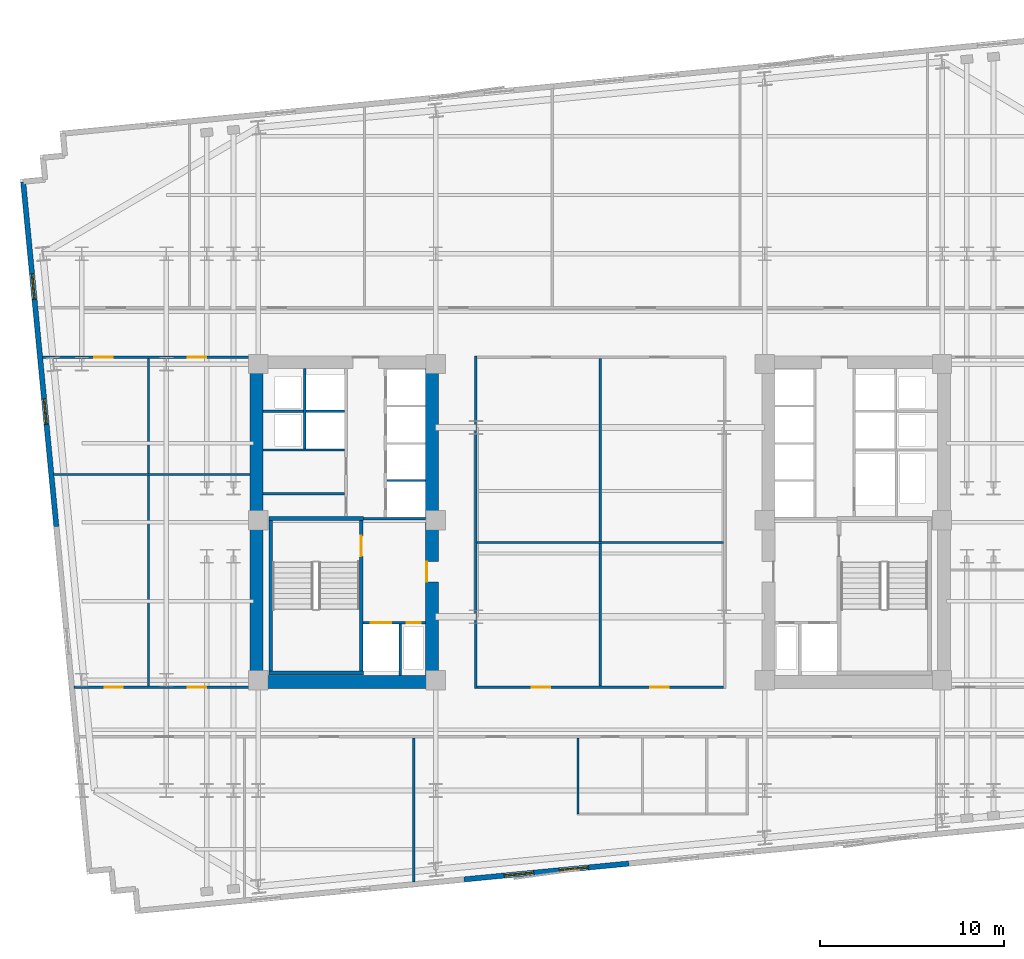
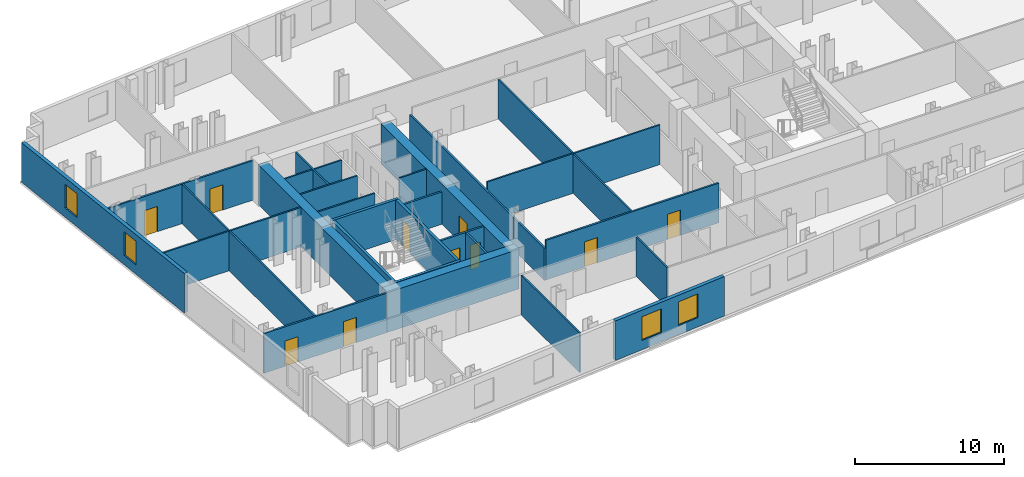
# One storey, part 4 of 11: 28 walls, 10 doors, 4 windows, 14 openings.
"""IFC4 building model written with IfcOpenShell, lengths in metres."""

from ifc_helpers import new_model, si_unit, direction, frame, frame_2d, origin, place, context, subcontext, project, spatial, rectangle, extrude, material, layer, layer_set, type_object, element, fill, save


model = new_model("IFC4")

# Units and contexts
model_context = context("Model", 3, precision=1e-05, world=origin(), true_north=direction((0.0, 1.0)))
body_context = subcontext(model_context, "Body", "Model", "MODEL_VIEW")
ifc_project = project(units=[si_unit("LENGTHUNIT", "METRE"), si_unit("AREAUNIT", "SQUARE_METRE"), si_unit("VOLUMEUNIT", "CUBIC_METRE"), si_unit("PLANEANGLEUNIT", "RADIAN"), si_unit("MASSUNIT", "GRAM", prefix="KILO")], contexts=[model_context])

# Site, building, storey
site_placement = place(None, origin())
site = spatial("IfcSite", under=ifc_project, at=site_placement, CompositionType="ELEMENT")
building_placement = place(site_placement, origin())
building = spatial("IfcBuilding", under=site, at=building_placement, Name="Velakula Bourse", CompositionType="ELEMENT")
storey_placement = place(building_placement, frame((0.0, 0.0, 105.25)))
storey = spatial("IfcBuildingStorey", under=building, at=storey_placement, Name="L28", CompositionType="ELEMENT", Elevation=105.25)

# Wall, opening, door
ifc_material_1 = material(Name="Concrete M50 (fck 50 MPa)", Category="concrete")
ifc_layer_1 = layer(ifc_material_1, 0.2099609375, Name="Concrete M50 (fck 50 MPa)", Category="concrete")
ifc_layer_set_1 = layer_set([ifc_layer_1], Name="Concrete M50 (fck 50 MPa)")
wall_type_1 = type_object("IfcWallType", Name="WL-CORE-210", PredefinedType="SHEAR", material=ifc_layer_set_1)
wall_1_placement = place(storey_placement, frame((-12.9951171875, -8.10009765625, 0.0), z_axis=(0.0, 0.0, 1.0), x_axis=(0.0, 1.0, 0.0)))
wall_1 = element("IfcWall", 1, at=wall_1_placement, inside=storey, type_object=wall_type_1, Name="L28 Core W Stairwell Shear Wall IN", PredefinedType="SHEAR", context=body_context, shape_type="SweptSolid", body=[
    extrude(rectangle(XDim=8.2001953125, YDim=0.2099609375, at=frame_2d((4.10009765625, 0.0))), origin(), (0.0, 0.0, 1.0), 3.27001953125),
])
opening_1_placement = place(wall_1_placement, frame((6.25, 0.0, 0.0)))
opening_1 = element("IfcOpeningElement", 2, at=opening_1_placement, cuts=wall_1, Name="Opening D-STW1", PredefinedType="OPENING", context=body_context, shape_type="SweptSolid", body=[
    extrude(rectangle(XDim=1.10009765625, YDim=2.14990234375, at=frame_2d((0.550048828125, 1.074951171875))), frame((0.0, 0.114990234375, 0.0), z_axis=(0.0, -1.0, 0.0), x_axis=(1.0, 0.0, 0.0)), (0.0, 0.0, 1.0), 0.22998046875),
])
ifc_material_2 = material(Name="Galvanised painted hollow steel fire door", Category="steel")
door_type_1 = type_object("IfcDoorType", Name="DR-FD120-1100x2150", OperationType="NOTDEFINED", PredefinedType="DOOR", material=ifc_material_2)
door_1_placement = place(opening_1_placement, origin())
door_1 = element("IfcDoor", 3, at=door_1_placement, inside=storey, type_object=door_type_1, Name="L28 Stair ST-W1 Fire Door", OperationType="SINGLE_SWING_LEFT", OverallHeight=2.14990234375, OverallWidth=1.10009765625, PredefinedType="DOOR", context=body_context, shape_type="SweptSolid", body=[
    extrude(rectangle(XDim=1.10009765625, YDim=2.14990234375, at=frame_2d((0.550048828125, 1.074951171875))), frame((0.0, 0.02490234375, 0.0), z_axis=(0.0, -1.0, 0.0), x_axis=(1.0, 0.0, 0.0)), (0.0, 0.0, 1.0), 0.050048828125),
])
fill(opening_1, door_1)

# Walls
wall_2_placement = place(storey_placement, frame((-17.925048828125, -8.10009765625, 0.0), z_axis=(0.0, 0.0, 1.0), x_axis=(0.0, 1.0, 0.0)))
element("IfcWall", 4, at=wall_2_placement, inside=storey, type_object=wall_type_1, Name="L28 Core W Stairwell Shear Wall OUT", PredefinedType="SHEAR", context=body_context, shape_type="SweptSolid", body=[
    extrude(rectangle(XDim=8.2001953125, YDim=0.2099609375, at=frame_2d((4.10009765625, 0.0))), origin(), (0.0, 0.0, 1.0), 3.27001953125),
])
for number, where, z_axis, x_axis, name in (
    (5, (-18.030029296875, -8.205078125, 0.0), (0.0, 0.0, 1.0), (1.0, 0.0, 0.0), "L28 Core W Stairwell Shear Wall S"),
    (6, (-12.889892578125, 0.205078125, 0.0), (0.0, 0.0, 1.0), (-1.0, 0.0, 0.0), "L28 Core W Stairwell Shear Wall N"),
):
    element("IfcWall", number, at=place(storey_placement, frame(where, z_axis=z_axis, x_axis=x_axis)), inside=storey, type_object=wall_type_1, Name=name, PredefinedType="SHEAR", context=body_context, shape_type="SweptSolid", body=[
        extrude(rectangle(XDim=5.14013671875, YDim=0.2099609375, at=frame_2d((2.570068359375, 0.0))), origin(), (0.0, 0.0, 1.0), 3.27001953125),
    ])
ifc_material_3 = material(Name="Concrete M70 (fck 70 MPa)", Category="concrete")
ifc_layer_2 = layer(ifc_material_3, 0.699951171875, Name="Concrete M70 (fck 70 MPa)", Category="concrete")
ifc_layer_set_2 = layer_set([ifc_layer_2], Name="Concrete M70 (fck 70 MPa)")
wall_type_2 = type_object("IfcWallType", Name="WL-CORE-700", PredefinedType="SHEAR", material=ifc_layer_set_2)
wall_3_placement = place(storey_placement, frame((-19.050048828125, -8.699951171875, 0.0), z_axis=(0.0, 0.0, 1.0), x_axis=(1.0, 0.0, 0.0)))
element("IfcWall", 7, at=wall_3_placement, inside=storey, type_object=wall_type_2, Name="L28 Core W Shear Wall S", PredefinedType="SHEAR", context=body_context, shape_type="SweptSolid", body=[
    extrude(rectangle(XDim=10.25, YDim=0.699951171875, at=frame_2d((5.125, 0.0))), origin(), (0.0, 0.0, 1.0), 3.27001953125),
])
wall_4_placement = place(storey_placement, frame((-18.699951171875, -8.35009765625, 0.0), z_axis=(0.0, 0.0, 1.0), x_axis=(0.0, 1.0, 0.0)))
element("IfcWall", 8, at=wall_4_placement, inside=storey, type_object=wall_type_2, Name="L28 Core W Shear Wall W", PredefinedType="SHEAR", context=body_context, shape_type="SweptSolid", body=[
    extrude(rectangle(XDim=16.7001953125, YDim=0.699951171875, at=frame_2d((8.35009765625, 0.0))), origin(), (0.0, 0.0, 1.0), 3.27001953125),
])

# Wall, opening, door
wall_5_placement = place(storey_placement, frame((-9.14990234375, -8.35009765625, 0.0), z_axis=(0.0, 0.0, 1.0), x_axis=(0.0, 1.0, 0.0)))
wall_5 = element("IfcWall", 9, at=wall_5_placement, inside=storey, type_object=wall_type_2, Name="L28 Core W Shear Wall E", PredefinedType="SHEAR", context=body_context, shape_type="SweptSolid", body=[
    extrude(rectangle(XDim=16.7001953125, YDim=0.699951171875, at=frame_2d((8.35009765625, 0.0))), origin(), (0.0, 0.0, 1.0), 3.27001953125),
])
opening_2_placement = place(wall_5_placement, frame((5.10009765625, 0.0, 0.0)))
opening_2 = element("IfcOpeningElement", 10, at=opening_2_placement, cuts=wall_5, Name="Opening D-FLW", PredefinedType="OPENING", context=body_context, shape_type="SweptSolid", body=[
    extrude(rectangle(XDim=1.10009765625, YDim=2.080078125, at=frame_2d((0.550048828125, 1.0400390625))), frame((0.0, 0.35986328125, 0.0), z_axis=(0.0, -1.0, 0.0), x_axis=(1.0, 0.0, 0.0)), (0.0, 0.0, 1.0), 0.719970703125),
])
door_type_2 = type_object("IfcDoorType", Name="DR-FD120-1100", OperationType="NOTDEFINED", PredefinedType="DOOR", material=ifc_material_2)
door_2_placement = place(opening_2_placement, origin())
door_2 = element("IfcDoor", 11, at=door_2_placement, inside=storey, type_object=door_type_2, Name="L28 Firefighting Lobby W Corridor Fire Door", OperationType="SINGLE_SWING_LEFT", OverallHeight=2.080078125, OverallWidth=1.10009765625, PredefinedType="DOOR", context=body_context, shape_type="SweptSolid", body=[
    extrude(rectangle(XDim=1.10009765625, YDim=2.080078125, at=frame_2d((0.550048828125, 1.0400390625))), frame((0.0, 0.30517578125, 0.0), z_axis=(0.0, -1.0, 0.0), x_axis=(1.0, 0.0, 0.0)), (0.0, 0.0, 1.0), 0.050048828125),
])
fill(opening_2, door_2)

# Wall, openings, windows
ifc_material_4 = material(Name="Red kilned clay facing brick masonry", Category="masonry")
ifc_layer_3 = layer(ifc_material_4, 0.280029296875, Name="Red kilned clay facing brick masonry", Category="masonry")
ifc_layer_set_3 = layer_set([ifc_layer_3], Name="Red kilned clay facing brick masonry")
wall_type_3 = type_object("IfcWallType", Name="WL-EXT-BRK-280", PredefinedType="STANDARD", material=ifc_layer_set_3)
wall_6_placement = place(storey_placement, frame((1.556396484375, -18.573486328125, 0.0), z_axis=(0.0, 0.0, 1.0), x_axis=(-0.995396794462, -0.09583956164, 0.0)))
wall_6 = element("IfcWall", 12, at=wall_6_placement, inside=storey, type_object=wall_type_3, Name="L28 S Brick Spandrel Wall B2", PredefinedType="STANDARD", context=body_context, shape_type="SweptSolid", body=[
    extrude(rectangle(XDim=9.0, YDim=0.280029296875, at=frame_2d((4.5, 0.0))), origin(), (0.0, 0.0, 1.0), 3.25),
])
opening_3_placement = place(wall_6_placement, frame((2.199951171875, 0.0, 0.760009765625)))
opening_3 = element("IfcOpeningElement", 13, at=opening_3_placement, cuts=wall_6, Name="Opening W-02", PredefinedType="OPENING", context=body_context, shape_type="SweptSolid", body=[
    extrude(rectangle(XDim=1.60009765625, YDim=1.949951171875, at=frame_2d((0.800048828125, 0.97509765625))), frame((0.0, 0.14990234375, 0.0), z_axis=(0.0, -1.0, 0.0), x_axis=(1.0, 0.0, 0.0)), (0.0, 0.0, 1.0), 0.300048828125),
])
opening_4_placement = place(wall_6_placement, frame((5.199951171875, 0.0, 0.760009765625)))
opening_4 = element("IfcOpeningElement", 14, at=opening_4_placement, cuts=wall_6, Name="Opening W-02", PredefinedType="OPENING", context=body_context, shape_type="SweptSolid", body=[
    extrude(rectangle(XDim=1.60009765625, YDim=1.949951171875, at=frame_2d((0.800048828125, 0.97509765625))), frame((0.0, 0.14990234375, 0.0), z_axis=(0.0, -1.0, 0.0), x_axis=(1.0, 0.0, 0.0)), (0.0, 0.0, 1.0), 0.300048828125),
])
ifc_material_5 = material(Name="Double-glazed solar-control Low-E glass", Category="glass")
window_type_1 = type_object("IfcWindowType", Name="WIN-TWR-1600x2100", PartitioningType="SINGLE_PANEL", PredefinedType="WINDOW", material=ifc_material_5)
window_1_placement = place(opening_3_placement, origin())
window_1 = element("IfcWindow", 15, at=window_1_placement, inside=storey, type_object=window_type_1, Name="L28 Deep-Set Recessed Window 1", OverallHeight=1.949951171875, OverallWidth=1.60009765625, PartitioningType="SINGLE_PANEL", PredefinedType="WINDOW", context=body_context, shape_type="SweptSolid", body=[
    extrude(rectangle(XDim=1.60009765625, YDim=1.949951171875, at=frame_2d((0.800048828125, 0.97509765625))), frame((0.0, 0.030029296875, 0.0), z_axis=(0.0, -1.0, 0.0), x_axis=(1.0, 0.0, 0.0)), (0.0, 0.0, 1.0), 0.06005859375),
])
fill(opening_3, window_1)
window_2_placement = place(opening_4_placement, origin())
window_2 = element("IfcWindow", 16, at=window_2_placement, inside=storey, type_object=window_type_1, Name="L28 Deep-Set Recessed Window 2", OverallHeight=1.949951171875, OverallWidth=1.60009765625, PartitioningType="SINGLE_PANEL", PredefinedType="WINDOW", context=body_context, shape_type="SweptSolid", body=[
    extrude(rectangle(XDim=1.60009765625, YDim=1.949951171875, at=frame_2d((0.800048828125, 0.97509765625))), frame((0.0, 0.030029296875, 0.0), z_axis=(0.0, -1.0, 0.0), x_axis=(1.0, 0.0, 0.0)), (0.0, 0.0, 1.0), 0.06005859375),
])
fill(opening_4, window_2)

wall_7_placement = place(storey_placement, frame((-29.584716796875, -0.23388671875, 0.0), z_axis=(0.0, 0.0, 1.0), x_axis=(-0.095841297881, 0.99539662729, 0.0)))
wall_7 = element("IfcWall", 17, at=wall_7_placement, inside=storey, type_object=wall_type_3, Name="L28 W Brick End Wall W2", PredefinedType="STANDARD", context=body_context, shape_type="SweptSolid", body=[
    extrude(rectangle(XDim=18.840087890625, YDim=0.280029296875, at=frame_2d((9.419921875, 0.0))), origin(), (0.0, 0.0, 1.0), 3.25),
])
opening_5_placement = place(wall_7_placement, frame((5.580078125, 0.0, 0.760009765625)))
opening_5 = element("IfcOpeningElement", 18, at=opening_5_placement, cuts=wall_7, Name="Opening W-03", PredefinedType="OPENING", context=body_context, shape_type="SweptSolid", body=[
    extrude(rectangle(XDim=1.39990234375, YDim=1.949951171875, at=frame_2d((0.699951171875, 0.97509765625))), frame((0.0, 0.14990234375, 0.0), z_axis=(0.0, -1.0, 0.0), x_axis=(1.0, 0.0, 0.0)), (0.0, 0.0, 1.0), 0.300048828125),
])
opening_6_placement = place(wall_7_placement, frame((12.409912109375, 0.0, 0.760009765625)))
opening_6 = element("IfcOpeningElement", 19, at=opening_6_placement, cuts=wall_7, Name="Opening W-03", PredefinedType="OPENING", context=body_context, shape_type="SweptSolid", body=[
    extrude(rectangle(XDim=1.39990234375, YDim=1.949951171875, at=frame_2d((0.699951171875, 0.97509765625))), frame((0.0, 0.14990234375, 0.0), z_axis=(0.0, -1.0, 0.0), x_axis=(1.0, 0.0, 0.0)), (0.0, 0.0, 1.0), 0.300048828125),
])
window_type_2 = type_object("IfcWindowType", Name="WIN-TWR-1400x2100", PartitioningType="SINGLE_PANEL", PredefinedType="WINDOW", material=ifc_material_5)
window_3_placement = place(opening_5_placement, origin())
window_3 = element("IfcWindow", 20, at=window_3_placement, inside=storey, type_object=window_type_2, Name="L28 Deep-Set Recessed Window 1", OverallHeight=1.949951171875, OverallWidth=1.39990234375, PartitioningType="SINGLE_PANEL", PredefinedType="WINDOW", context=body_context, shape_type="SweptSolid", body=[
    extrude(rectangle(XDim=1.39990234375, YDim=1.949951171875, at=frame_2d((0.699951171875, 0.97509765625))), frame((0.0, 0.030029296875, 0.0), z_axis=(0.0, -1.0, 0.0), x_axis=(1.0, 0.0, 0.0)), (0.0, 0.0, 1.0), 0.06005859375),
])
fill(opening_5, window_3)
window_4_placement = place(opening_6_placement, origin())
window_4 = element("IfcWindow", 21, at=window_4_placement, inside=storey, type_object=window_type_2, Name="L28 Deep-Set Recessed Window 2", OverallHeight=1.949951171875, OverallWidth=1.39990234375, PartitioningType="SINGLE_PANEL", PredefinedType="WINDOW", context=body_context, shape_type="SweptSolid", body=[
    extrude(rectangle(XDim=1.39990234375, YDim=1.949951171875, at=frame_2d((0.699951171875, 0.97509765625))), frame((0.0, 0.030029296875, 0.0), z_axis=(0.0, -1.0, 0.0), x_axis=(1.0, 0.0, 0.0)), (0.0, 0.0, 1.0), 0.06005859375),
])
fill(opening_6, window_4)

# Walls
ifc_material_6 = material(Name="Fire-rated double-layer gypsum drywall partition", Category="gypsum")
ifc_layer_4 = layer(ifc_material_6, 0.1201171875, Name="Fire-rated double-layer gypsum drywall partition", Category="gypsum")
ifc_layer_set_4 = layer_set([ifc_layer_4], Name="Fire-rated double-layer gypsum drywall partition")
wall_type_4 = type_object("IfcWallType", Name="WL-PART-120", PredefinedType="STANDARD", material=ifc_layer_set_4)
wall_8_placement = place(storey_placement, frame((-11.60009765625, 2.2548828125, 0.0), z_axis=(0.0, 0.0, 1.0), x_axis=(1.0, 0.0, 0.0)))
element("IfcWall", 22, at=wall_8_placement, inside=storey, type_object=wall_type_4, Name="L28 Interior Partition WL-CRW-L28-BDIV-0", PredefinedType="STANDARD", context=body_context, shape_type="SweptSolid", body=[
    extrude(rectangle(XDim=2.10009765625, YDim=0.110107421875, at=frame_2d((1.050048828125, 0.0))), origin(), (0.0, 0.0, 1.0), 3.25),
])
wall_9_placement = place(storey_placement, frame((-18.35009765625, 3.919921875, 0.0), z_axis=(0.0, 0.0, 1.0), x_axis=(1.0, 0.0, 0.0)))
element("IfcWall", 23, at=wall_9_placement, inside=storey, type_object=wall_type_4, Name="L28 Interior Partition WL-CRW-L28-HI-S", PredefinedType="STANDARD", context=body_context, shape_type="SweptSolid", body=[
    extrude(rectangle(XDim=4.4501953125, YDim=0.1201171875, at=frame_2d((2.22509765625, 0.0))), origin(), (0.0, 0.0, 1.0), 3.25),
])
wall_10_placement = place(storey_placement, frame((-18.35009765625, 6.030029296875, 0.0), z_axis=(0.0, 0.0, 1.0), x_axis=(1.0, 0.0, 0.0)))
element("IfcWall", 24, at=wall_10_placement, inside=storey, type_object=wall_type_4, Name="L28 Interior Partition WL-CRW-L28-RIS-MID", PredefinedType="STANDARD", context=body_context, shape_type="SweptSolid", body=[
    extrude(rectangle(XDim=2.2001953125, YDim=0.1201171875, at=frame_2d((1.10009765625, 0.0))), origin(), (0.0, 0.0, 1.0), 3.25),
])
wall_11_placement = place(storey_placement, frame((-16.074951171875, 3.97998046875, 0.0), z_axis=(0.0, 0.0, 1.0), x_axis=(0.0, 1.0, 0.0)))
element("IfcWall", 25, at=wall_11_placement, inside=storey, type_object=wall_type_4, Name="L28 Interior Partition WL-CRW-L28-RIS-F", PredefinedType="STANDARD", context=body_context, shape_type="SweptSolid", body=[
    extrude(rectangle(XDim=4.3701171875, YDim=0.1201171875, at=frame_2d((2.18505859375, 0.0))), origin(), (0.0, 0.0, 1.0), 3.25),
])
wall_12_placement = place(storey_placement, frame((-16.0, 6.030029296875, 0.0), z_axis=(0.0, 0.0, 1.0), x_axis=(1.0, 0.0, 0.0)))
element("IfcWall", 26, at=wall_12_placement, inside=storey, type_object=wall_type_4, Name="L28 Interior Partition WL-CRW-L28-HI-DIV", PredefinedType="STANDARD", context=body_context, shape_type="SweptSolid", body=[
    extrude(rectangle(XDim=2.10009765625, YDim=0.1201171875, at=frame_2d((1.050048828125, 0.0))), origin(), (0.0, 0.0, 1.0), 3.25),
])
wall_13_placement = place(storey_placement, frame((-18.35009765625, 1.550048828125, 0.0), z_axis=(0.0, 0.0, 1.0), x_axis=(1.0, 0.0, 0.0)))
element("IfcWall", 27, at=wall_13_placement, inside=storey, type_object=wall_type_4, Name="L28 Interior Partition WL-CRW-L28-K1", PredefinedType="STANDARD", context=body_context, shape_type="SweptSolid", body=[
    extrude(rectangle(XDim=4.4501953125, YDim=0.1201171875, at=frame_2d((2.22509765625, 0.0))), origin(), (0.0, 0.0, 1.0), 3.25),
])
wall_14_placement = place(storey_placement, frame((-1.199951171875, -15.8701171875, 0.0), z_axis=(0.0, 0.0, 1.0), x_axis=(0.0, 1.0, 0.0)))
element("IfcWall", 28, at=wall_14_placement, inside=storey, type_object=wall_type_4, Name="L28 Interior Partition WL-WC-L28-V1", PredefinedType="STANDARD", context=body_context, shape_type="SweptSolid", body=[
    extrude(rectangle(XDim=4.130126953125, YDim=0.1201171875, at=frame_2d((2.06494140625, 0.0))), origin(), (0.0, 0.0, 1.0), 3.25),
])
wall_15_placement = place(storey_placement, frame((-10.14208984375, -19.579345703125, 0.0), z_axis=(0.0, 0.0, 1.0), x_axis=(0.0, 1.0, 0.0)))
element("IfcWall", 29, at=wall_15_placement, inside=storey, type_object=wall_type_4, Name="L28 Interior Partition WL-INT-L28-SL-D6", PredefinedType="STANDARD", context=body_context, shape_type="SweptSolid", body=[
    extrude(rectangle(XDim=7.83935546875, YDim=0.1201171875, at=frame_2d((3.919677734375, 0.0))), origin(), (0.0, 0.0, 1.0), 3.25),
])
wall_16_placement = place(storey_placement, frame((-29.737060546875, 2.60009765625, 0.0), z_axis=(0.0, 0.0, 1.0), x_axis=(1.0, 0.0, 0.0)))
element("IfcWall", 30, at=wall_16_placement, inside=storey, type_object=wall_type_4, Name="L28 Interior Partition WL-INT-L28-W-H", PredefinedType="STANDARD", context=body_context, shape_type="SweptSolid", body=[
    extrude(rectangle(XDim=10.68701171875, YDim=0.1201171875, at=frame_2d((5.343505859375, 0.0))), origin(), (0.0, 0.0, 1.0), 3.25),
])
wall_17_placement = place(storey_placement, frame((-24.571044921875, -8.97998046875, 0.0), z_axis=(0.0, 0.0, 1.0), x_axis=(0.0, 1.0, 0.0)))
element("IfcWall", 31, at=wall_17_placement, inside=storey, type_object=wall_type_4, Name="L28 Interior Partition WL-INT-L28-W-V1", PredefinedType="STANDARD", context=body_context, shape_type="SweptSolid", body=[
    extrude(rectangle(XDim=17.9599609375, YDim=0.1201171875, at=frame_2d((8.97998046875, 0.0))), origin(), (0.0, 0.0, 1.0), 3.25),
])

# Wall, openings, doors
ifc_layer_5 = layer(ifc_material_6, 0.139892578125, Name="Fire-rated double-layer gypsum drywall partition", Category="gypsum")
ifc_layer_set_5 = layer_set([ifc_layer_5], Name="Fire-rated double-layer gypsum drywall partition")
wall_type_5 = type_object("IfcWallType", Name="WL-PART-140", PredefinedType="STANDARD", material=ifc_layer_set_5)
wall_18_placement = place(storey_placement, frame((-30.351318359375, 8.97998046875, 0.0), z_axis=(0.0, 0.0, 1.0), x_axis=(1.0, 0.0, 0.0)))
wall_18 = element("IfcWall", 32, at=wall_18_placement, inside=storey, type_object=wall_type_5, Name="L28 Interior Partition WL-INT-L28-W-NC", PredefinedType="STANDARD", context=body_context, shape_type="SweptSolid", body=[
    extrude(rectangle(XDim=11.30126953125, YDim=0.139892578125, at=frame_2d((5.650634765625, 0.0))), origin(), (0.0, 0.0, 1.0), 3.25),
])
opening_7_placement = place(wall_18_placement, frame((2.83447265625, 0.0, 0.0)))
opening_7 = element("IfcOpeningElement", 33, at=opening_7_placement, cuts=wall_18, Name="Opening D-OF1", PredefinedType="OPENING", context=body_context, shape_type="SweptSolid", body=[
    extrude(rectangle(XDim=1.0, YDim=2.080078125, at=frame_2d((0.5, 1.0400390625))), frame((0.0, 0.079833984375, 0.0), z_axis=(0.0, -1.0, 0.0), x_axis=(1.0, 0.0, 0.0)), (0.0, 0.0, 1.0), 0.159912109375),
])
opening_8_placement = place(wall_18_placement, frame((7.910888671875, 0.0, 0.0)))
opening_8 = element("IfcOpeningElement", 34, at=opening_8_placement, cuts=wall_18, Name="Opening D-OF1", PredefinedType="OPENING", context=body_context, shape_type="SweptSolid", body=[
    extrude(rectangle(XDim=1.0, YDim=2.080078125, at=frame_2d((0.5, 1.0400390625))), frame((0.0, 0.079833984375, 0.0), z_axis=(0.0, -1.0, 0.0), x_axis=(1.0, 0.0, 0.0)), (0.0, 0.0, 1.0), 0.159912109375),
])
ifc_material_7 = material(Name="Fire-rated hardwood flush architectural door", Category="wood")
door_type_3 = type_object("IfcDoorType", Name="DR-OFF-1000", OperationType="NOTDEFINED", PredefinedType="DOOR", material=ifc_material_7)
door_3_placement = place(opening_7_placement, origin())
door_3 = element("IfcDoor", 35, at=door_3_placement, inside=storey, type_object=door_type_3, Name="L28 Margin Control Office Door", OperationType="SINGLE_SWING_LEFT", OverallHeight=2.080078125, OverallWidth=1.0, PredefinedType="DOOR", context=body_context, shape_type="SweptSolid", body=[
    extrude(rectangle(XDim=1.0, YDim=2.080078125, at=frame_2d((0.5, 1.0400390625))), frame((0.0, 0.02490234375, 0.0), z_axis=(0.0, -1.0, 0.0), x_axis=(1.0, 0.0, 0.0)), (0.0, 0.0, 1.0), 0.050048828125),
])
fill(opening_7, door_3)
door_4_placement = place(opening_8_placement, origin())
door_4 = element("IfcDoor", 36, at=door_4_placement, inside=storey, type_object=door_type_3, Name="L28 Listing Committee Chamber Door", OperationType="SINGLE_SWING_RIGHT", OverallHeight=2.080078125, OverallWidth=1.0, PredefinedType="DOOR", context=body_context, shape_type="SweptSolid", body=[
    extrude(rectangle(XDim=1.0, YDim=2.080078125, at=frame_2d((0.5, 1.0400390625))), frame((0.0, 0.02490234375, 0.0), z_axis=(0.0, -1.0, 0.0), x_axis=(1.0, 0.0, 0.0)), (0.0, 0.0, 1.0), 0.050048828125),
])
fill(opening_8, door_4)

wall_19_placement = place(storey_placement, frame((-28.6220703125, -8.97998046875, 0.0), z_axis=(0.0, 0.0, 1.0), x_axis=(1.0, 0.0, 0.0)))
wall_19 = element("IfcWall", 37, at=wall_19_placement, inside=storey, type_object=wall_type_5, Name="L28 Interior Partition WL-INT-L28-W-SC", PredefinedType="STANDARD", context=body_context, shape_type="SweptSolid", body=[
    extrude(rectangle(XDim=9.572021484375, YDim=0.139892578125, at=frame_2d((4.7861328125, 0.0))), origin(), (0.0, 0.0, 1.0), 3.25),
])
opening_9_placement = place(wall_19_placement, frame((1.655517578125, 0.0, 0.0)))
opening_9 = element("IfcOpeningElement", 38, at=opening_9_placement, cuts=wall_19, Name="Opening D-OF1", PredefinedType="OPENING", context=body_context, shape_type="SweptSolid", body=[
    extrude(rectangle(XDim=1.0, YDim=2.080078125, at=frame_2d((0.5, 1.0400390625))), frame((0.0, 0.079833984375, 0.0), z_axis=(0.0, -1.0, 0.0), x_axis=(1.0, 0.0, 0.0)), (0.0, 0.0, 1.0), 0.159912109375),
])
opening_10_placement = place(wall_19_placement, frame((6.181396484375, 0.0, 0.0)))
opening_10 = element("IfcOpeningElement", 39, at=opening_10_placement, cuts=wall_19, Name="Opening D-OF1", PredefinedType="OPENING", context=body_context, shape_type="SweptSolid", body=[
    extrude(rectangle(XDim=1.0, YDim=2.080078125, at=frame_2d((0.5, 1.0400390625))), frame((0.0, 0.079833984375, 0.0), z_axis=(0.0, -1.0, 0.0), x_axis=(1.0, 0.0, 0.0)), (0.0, 0.0, 1.0), 0.159912109375),
])
door_5_placement = place(opening_9_placement, origin())
door_5 = element("IfcDoor", 40, at=door_5_placement, inside=storey, type_object=door_type_3, Name="L28 Margin Control Office Door", OperationType="SINGLE_SWING_LEFT", OverallHeight=2.080078125, OverallWidth=1.0, PredefinedType="DOOR", context=body_context, shape_type="SweptSolid", body=[
    extrude(rectangle(XDim=1.0, YDim=2.080078125, at=frame_2d((0.5, 1.0400390625))), frame((0.0, 0.02490234375, 0.0), z_axis=(0.0, -1.0, 0.0), x_axis=(1.0, 0.0, 0.0)), (0.0, 0.0, 1.0), 0.050048828125),
])
fill(opening_9, door_5)
door_6_placement = place(opening_10_placement, origin())
door_6 = element("IfcDoor", 41, at=door_6_placement, inside=storey, type_object=door_type_3, Name="L28 Listing Committee Chamber Door", OperationType="SINGLE_SWING_RIGHT", OverallHeight=2.080078125, OverallWidth=1.0, PredefinedType="DOOR", context=body_context, shape_type="SweptSolid", body=[
    extrude(rectangle(XDim=1.0, YDim=2.080078125, at=frame_2d((0.5, 1.0400390625))), frame((0.0, 0.02490234375, 0.0), z_axis=(0.0, -1.0, 0.0), x_axis=(1.0, 0.0, 0.0)), (0.0, 0.0, 1.0), 0.050048828125),
])
fill(opening_10, door_6)

# Wall
wall_20_placement = place(storey_placement, frame((-6.780029296875, -9.050048828125, 0.0), z_axis=(0.0, 0.0, 1.0), x_axis=(0.0, 1.0, 0.0)))
element("IfcWall", 42, at=wall_20_placement, inside=storey, type_object=wall_type_5, Name="L28 Interior Partition WL-INT-L28-MID-W", PredefinedType="STANDARD", context=body_context, shape_type="SweptSolid", body=[
    extrude(rectangle(XDim=18.10009765625, YDim=0.139892578125, at=frame_2d((9.050048828125, 0.0))), origin(), (0.0, 0.0, 1.0), 2.64501953125),
])

# Wall, openings, doors
wall_21_placement = place(storey_placement, frame((-6.7099609375, -8.97998046875, 0.0), z_axis=(0.0, 0.0, 1.0), x_axis=(1.0, 0.0, 0.0)))
wall_21 = element("IfcWall", 43, at=wall_21_placement, inside=storey, type_object=wall_type_5, Name="L28 Interior Partition WL-INT-L28-MID-S", PredefinedType="STANDARD", context=body_context, shape_type="SweptSolid", body=[
    extrude(rectangle(XDim=13.419921875, YDim=0.139892578125, at=frame_2d((6.7099609375, 0.0))), origin(), (0.0, 0.0, 1.0), 3.25),
])
opening_11_placement = place(wall_21_placement, frame((2.98095703125, 0.0, 0.0)))
opening_11 = element("IfcOpeningElement", 44, at=opening_11_placement, cuts=wall_21, Name="Opening D-OF1", PredefinedType="OPENING", context=body_context, shape_type="SweptSolid", body=[
    extrude(rectangle(XDim=1.0, YDim=2.080078125, at=frame_2d((0.5, 1.0400390625))), frame((0.0, 0.079833984375, 0.0), z_axis=(0.0, -1.0, 0.0), x_axis=(1.0, 0.0, 0.0)), (0.0, 0.0, 1.0), 0.159912109375),
])
opening_12_placement = place(wall_21_placement, frame((9.43896484375, 0.0, 0.0)))
opening_12 = element("IfcOpeningElement", 45, at=opening_12_placement, cuts=wall_21, Name="Opening D-OF1", PredefinedType="OPENING", context=body_context, shape_type="SweptSolid", body=[
    extrude(rectangle(XDim=1.0, YDim=2.080078125, at=frame_2d((0.5, 1.0400390625))), frame((0.0, 0.079833984375, 0.0), z_axis=(0.0, -1.0, 0.0), x_axis=(1.0, 0.0, 0.0)), (0.0, 0.0, 1.0), 0.159912109375),
])
door_7_placement = place(opening_11_placement, origin())
door_7 = element("IfcDoor", 46, at=door_7_placement, inside=storey, type_object=door_type_3, Name="L28 Brokerage Caucus Room SW Door", OperationType="SINGLE_SWING_LEFT", OverallHeight=2.080078125, OverallWidth=1.0, PredefinedType="DOOR", context=body_context, shape_type="SweptSolid", body=[
    extrude(rectangle(XDim=1.0, YDim=2.080078125, at=frame_2d((0.5, 1.0400390625))), frame((0.0, 0.02490234375, 0.0), z_axis=(0.0, -1.0, 0.0), x_axis=(1.0, 0.0, 0.0)), (0.0, 0.0, 1.0), 0.050048828125),
])
fill(opening_11, door_7)
door_8_placement = place(opening_12_placement, origin())
door_8 = element("IfcDoor", 47, at=door_8_placement, inside=storey, type_object=door_type_3, Name="L28 Brokerage Caucus Room SE Door", OperationType="SINGLE_SWING_RIGHT", OverallHeight=2.080078125, OverallWidth=1.0, PredefinedType="DOOR", context=body_context, shape_type="SweptSolid", body=[
    extrude(rectangle(XDim=1.0, YDim=2.080078125, at=frame_2d((0.5, 1.0400390625))), frame((0.0, 0.02490234375, 0.0), z_axis=(0.0, -1.0, 0.0), x_axis=(1.0, 0.0, 0.0)), (0.0, 0.0, 1.0), 0.050048828125),
])
fill(opening_12, door_8)

# Walls
wall_22_placement = place(storey_placement, frame((-6.7099609375, -1.10009765625, 0.0), z_axis=(0.0, 0.0, 1.0), x_axis=(1.0, 0.0, 0.0)))
element("IfcWall", 48, at=wall_22_placement, inside=storey, type_object=wall_type_5, Name="L28 Interior Partition WL-INT-L28-MD4H", PredefinedType="STANDARD", context=body_context, shape_type="SweptSolid", body=[
    extrude(rectangle(XDim=13.419921875, YDim=0.1201171875, at=frame_2d((6.7099609375, 0.0))), origin(), (0.0, 0.0, 1.0), 3.25),
])
wall_23_placement = place(storey_placement, frame((0.0, -8.909912109375, 0.0), z_axis=(0.0, 0.0, 1.0), x_axis=(0.0, 1.0, 0.0)))
element("IfcWall", 49, at=wall_23_placement, inside=storey, type_object=wall_type_5, Name="L28 Interior Partition WL-INT-L28-MD4V", PredefinedType="STANDARD", context=body_context, shape_type="SweptSolid", body=[
    extrude(rectangle(XDim=17.81982421875, YDim=0.1201171875, at=frame_2d((8.909912109375, 0.0))), origin(), (0.0, 0.0, 1.0), 3.25),
])

# Wall, openings, doors
ifc_material_8 = material(Name="Autoclaved aerated concrete blockwork masonry", Category="masonry")
ifc_layer_6 = layer(ifc_material_8, 0.14990234375, Name="Autoclaved aerated concrete blockwork masonry", Category="masonry")
ifc_layer_set_6 = layer_set([ifc_layer_6], Name="Autoclaved aerated concrete blockwork masonry")
wall_type_6 = type_object("IfcWallType", Name="WL-SHAFT-150", PredefinedType="STANDARD", material=ifc_layer_set_6)
wall_24_placement = place(storey_placement, frame((-12.89501953125, -5.47509765625, 0.0), z_axis=(0.0, 0.0, 1.0), x_axis=(1.0, 0.0, 0.0)))
wall_24 = element("IfcWall", 50, at=wall_24_placement, inside=storey, type_object=wall_type_6, Name="L28 Interior Partition WL-CRW-L28-FFL-N", PredefinedType="STANDARD", context=body_context, shape_type="SweptSolid", body=[
    extrude(rectangle(XDim=3.39501953125, YDim=0.14990234375, at=frame_2d((1.697509765625, 0.0))), origin(), (0.0, 0.0, 1.0), 3.25),
])
opening_13_placement = place(wall_24_placement, frame((0.419921875, 0.0, 0.0)))
opening_13 = element("IfcOpeningElement", 51, at=opening_13_placement, cuts=wall_24, Name="Opening LD-FFL-1", PredefinedType="OPENING", context=body_context, shape_type="SweptSolid", body=[
    extrude(rectangle(XDim=1.10009765625, YDim=2.14990234375, at=frame_2d((0.550048828125, 1.074951171875))), frame((0.0, 0.0849609375, 0.0), z_axis=(0.0, -1.0, 0.0), x_axis=(1.0, 0.0, 0.0)), (0.0, 0.0, 1.0), 0.169921875),
])
opening_14_placement = place(wall_24_placement, frame((2.3701171875, 0.0, 0.0)))
opening_14 = element("IfcOpeningElement", 52, at=opening_14_placement, cuts=wall_24, Name="Opening D-RS1", PredefinedType="OPENING", context=body_context, shape_type="SweptSolid", body=[
    extrude(rectangle(XDim=0.75, YDim=2.050048828125, at=frame_2d((0.375, 1.02490234375))), frame((0.0, 0.0849609375, 0.0), z_axis=(0.0, -1.0, 0.0), x_axis=(1.0, 0.0, 0.0)), (0.0, 0.0, 1.0), 0.169921875),
])
door_type_4 = type_object("IfcDoorType", Name="DR-RISER-800", OperationType="NOTDEFINED", PredefinedType="DOOR", material=ifc_material_2)
door_9_placement = place(opening_14_placement, origin())
door_9 = element("IfcDoor", 53, at=door_9_placement, inside=storey, type_object=door_type_4, Name="L28 Fire Riser Access Door", OperationType="SINGLE_SWING_LEFT", OverallHeight=2.050048828125, OverallWidth=0.75, PredefinedType="DOOR", context=body_context, shape_type="SweptSolid", body=[
    extrude(rectangle(XDim=0.75, YDim=2.050048828125, at=frame_2d((0.375, 1.02490234375))), frame((0.0, 0.02490234375, 0.0), z_axis=(0.0, -1.0, 0.0), x_axis=(1.0, 0.0, 0.0)), (0.0, 0.0, 1.0), 0.050048828125),
])
fill(opening_14, door_9)
ifc_material_9 = material(Name="Brushed grade 316 stainless steel", Category="steel")
door_type_5 = type_object("IfcDoorType", Name="DR-SLIDE-FFL-1100", OperationType="DOUBLE_DOOR_SLIDING", PredefinedType="DOOR", material=ifc_material_9)
door_10_placement = place(opening_13_placement, origin())
door_10 = element("IfcDoor", 54, at=door_10_placement, inside=storey, type_object=door_type_5, Name="L28 Firefighting Lift FFL-1 Sliding Landing Door", OperationType="DOUBLE_DOOR_SLIDING", OverallHeight=2.14990234375, OverallWidth=1.10009765625, PredefinedType="DOOR", context=body_context, shape_type="SweptSolid", body=[
    extrude(rectangle(XDim=1.10009765625, YDim=2.14990234375, at=frame_2d((0.550048828125, 1.074951171875))), frame((0.0, 0.02490234375, 0.0), z_axis=(0.0, -1.0, 0.0), x_axis=(1.0, 0.0, 0.0)), (0.0, 0.0, 1.0), 0.050048828125),
])
fill(opening_13, door_10)

# Walls
wall_25_placement = place(storey_placement, frame((-10.875, -8.35009765625, 0.0), z_axis=(0.0, 0.0, 1.0), x_axis=(0.0, 1.0, 0.0)))
element("IfcWall", 55, at=wall_25_placement, inside=storey, type_object=wall_type_6, Name="L28 Interior Partition WL-CRW-L28-FR-DIV", PredefinedType="STANDARD", context=body_context, shape_type="SweptSolid", body=[
    extrude(rectangle(XDim=2.800048828125, YDim=0.14990234375, at=frame_2d((1.39990234375, 0.0))), origin(), (0.0, 0.0, 1.0), 3.25),
])
wall_26_placement = place(storey_placement, frame((-12.889892578125, 0.18994140625, 0.0), z_axis=(0.0, 0.0, 1.0), x_axis=(1.0, 0.0, 0.0)))
element("IfcWall", 56, at=wall_26_placement, inside=storey, type_object=wall_type_6, Name="L28 Interior Partition WL-CRW-L28-FF-TOP", PredefinedType="STANDARD", context=body_context, shape_type="SweptSolid", body=[
    extrude(rectangle(XDim=3.389892578125, YDim=0.14990234375, at=frame_2d((1.69482421875, 0.0))), origin(), (0.0, 0.0, 1.0), 2.64501953125),
])

save(model, "model.ifc")
